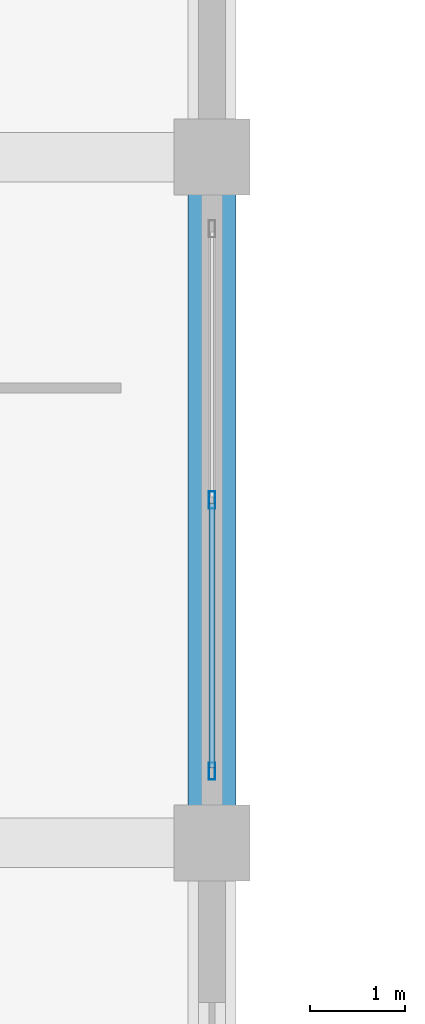
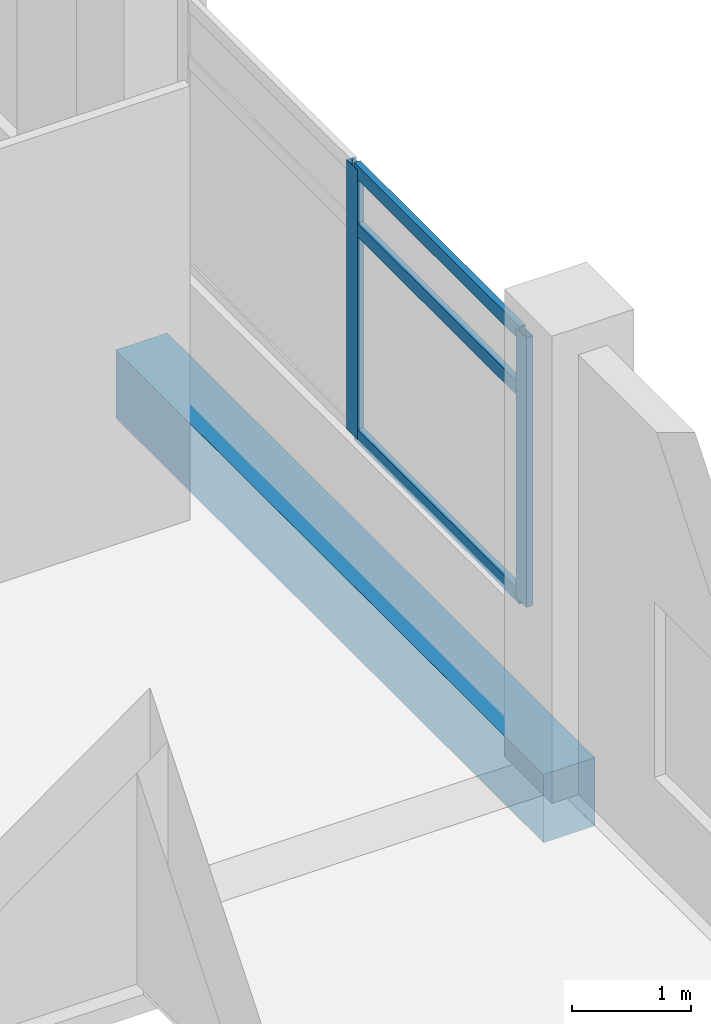
# One storey, part 50 of 140: 5 members, 1 beam, 1 element without a shape of its own.
"""IFC4 building model written with IfcOpenShell, lengths in metres."""

from ifc_helpers import new_model, si_unit, direction, frame, origin, origin_2d, place, context, subcontext, project, spatial, rectangle, hollow_rectangle, extrude, material, layer, layer_set, material_profile, profile_set, type_object, element, aggregate, save


model = new_model("IFC4")

# Units and contexts
model_context = context("Model", 3, precision=1e-05, world=origin(), true_north=direction((0.0, 1.0)))
body_context = subcontext(model_context, "Body", "Model", "MODEL_VIEW")
ifc_project = project(units=[si_unit("LENGTHUNIT", "METRE"), si_unit("AREAUNIT", "SQUARE_METRE"), si_unit("VOLUMEUNIT", "CUBIC_METRE"), si_unit("PLANEANGLEUNIT", "RADIAN"), si_unit("MASSUNIT", "GRAM", prefix="KILO")], contexts=[model_context])

# Site, building, storey
site_placement = place(None, origin())
site = spatial("IfcSite", under=ifc_project, at=site_placement, CompositionType="ELEMENT")
building_placement = place(site_placement, origin())
building = spatial("IfcBuilding", under=site, at=building_placement, Name="Seraya Terrace Polytechnic", CompositionType="ELEMENT")
storey_placement = place(building_placement, frame((0.0, 0.0, 9.60009765625)))
storey = spatial("IfcBuildingStorey", under=building, at=storey_placement, Name="L02", CompositionType="ELEMENT", Elevation=9.60009765625)

# Beam
ifc_material_1 = material(Name="Concrete C40/50", Category="concrete")
ifc_material_profile_1 = material_profile(ifc_material_1, rectangle(XDim=0.5, YDim=0.699951171875, at=origin_2d()), Name="RC 500x700")
ifc_profile_set_1 = profile_set([ifc_material_profile_1], Name="Concrete C40/50")
beam_type = type_object("IfcBeamType", Name="BM-07", PredefinedType="BEAM", material=ifc_profile_set_1)
beam_placement = place(storey_placement, frame((108.0, 43.199951171875, -0.35009765625), z_axis=(0.0, 1.0, 0.0), x_axis=(-1.0, 0.0, 0.0)))
element("IfcBeam", 1, at=beam_placement, inside=storey, type_object=beam_type, Name="Beam BM-07 L02 Y (108.0, 43.2..50.4)", PredefinedType="BEAM", context=body_context, shape_type="SweptSolid", body=[
    extrude(rectangle(XDim=0.5, YDim=0.699951171875, at=origin_2d()), origin(), (0.0, 0.0, 1.0), 7.199951171875),
])

# Curtain wall, members
ifc_material_2 = material(Name="Anodised aluminium EN AW-6063 T6", Category="aluminium")
ifc_layer = layer(ifc_material_2, 0.179931640625, Name="CW-25")
ifc_layer_set = layer_set([ifc_layer], Name="Anodised aluminium EN AW-6063 T6")
curtain_wall_type = type_object("IfcCurtainWallType", Name="CW-25", PredefinedType="NOTDEFINED", material=ifc_layer_set)
curtain_wall_placement = place(storey_placement, origin())
curtain_wall = element("IfcCurtainWall", 2, at=curtain_wall_placement, inside=storey, type_object=curtain_wall_type, Name="Unitised curtain wall CW-25 (CW-L02-061)", PredefinedType="NOTDEFINED")
ifc_material_profile_2 = material_profile(ifc_material_2, hollow_rectangle(XDim=0.06494140625, YDim=0.179931640625, WallThickness=0.00390625, at=origin_2d()), Name="RHS 180x65x4.0")
ifc_profile_set_2 = profile_set([ifc_material_profile_2], Name="Anodised aluminium EN AW-6063 T6")
member_type_1 = type_object("IfcMemberType", Name="CWM-01", PredefinedType="MULLION", material=ifc_profile_set_2)
member_1_placement = place(storey_placement, frame((108.0, 46.800048828125, 1.239990234375), z_axis=(0.0, 0.0, 1.0), x_axis=(1.0, 0.0, 0.0)))
member_1 = element("IfcMember", 3, at=member_1_placement, type_object=member_type_1, Name="CW-25 mullion 2", PredefinedType="MULLION", context=body_context, shape_type="SweptSolid", body=[
    extrude(hollow_rectangle(XDim=0.06494140625, YDim=0.179931640625, WallThickness=0.00390625, at=origin_2d()), origin(), (0.0, 0.0, 1.0), 2.77001953125),
])
member_2_placement = place(storey_placement, frame((108.0, 43.952392578125, 1.239990234375), z_axis=(0.0, 0.0, 1.0), x_axis=(1.0, 0.0, 0.0)))
member_2 = element("IfcMember", 4, at=member_2_placement, type_object=member_type_1, Name="CW-25 mullion 3", PredefinedType="MULLION", context=body_context, shape_type="SweptSolid", body=[
    extrude(hollow_rectangle(XDim=0.06494140625, YDim=0.179931640625, WallThickness=0.00390625, at=origin_2d()), origin(), (0.0, 0.0, 1.0), 2.77001953125),
])
ifc_material_profile_3 = material_profile(ifc_material_2, hollow_rectangle(XDim=0.06005859375, YDim=0.139892578125, WallThickness=0.00341796875, at=origin_2d()), Name="RHS 140x60x3.5")
ifc_profile_set_3 = profile_set([ifc_material_profile_3], Name="Anodised aluminium EN AW-6063 T6")
member_type_2 = type_object("IfcMemberType", Name="CWT-01", PredefinedType="USERDEFINED", material=ifc_profile_set_3)
member_3_placement = place(storey_placement, frame((108.0, 46.767578125, 1.27001953125), z_axis=(0.0, -1.0, 0.0), x_axis=(1.0, 0.0, 0.0)))
member_3 = element("IfcMember", 5, at=member_3_placement, type_object=member_type_2, Name="CW-25 transom 2.1", ObjectType="TRANSOM", PredefinedType="USERDEFINED", context=body_context, shape_type="SweptSolid", body=[
    extrude(hollow_rectangle(XDim=0.06005859375, YDim=0.139892578125, WallThickness=0.00341796875, at=origin_2d()), origin(), (0.0, 0.0, 1.0), 2.782470703125),
])
member_4_placement = place(storey_placement, frame((108.0, 46.767578125, 3.389892578125), z_axis=(0.0, -1.0, 0.0), x_axis=(1.0, 0.0, 0.0)))
member_4 = element("IfcMember", 6, at=member_4_placement, type_object=member_type_2, Name="CW-25 transom 2.2", ObjectType="TRANSOM", PredefinedType="USERDEFINED", context=body_context, shape_type="SweptSolid", body=[
    extrude(hollow_rectangle(XDim=0.06005859375, YDim=0.139892578125, WallThickness=0.00341796875, at=origin_2d()), origin(), (0.0, 0.0, 1.0), 2.782470703125),
])
member_5_placement = place(storey_placement, frame((108.0, 46.767578125, 3.97998046875), z_axis=(0.0, -1.0, 0.0), x_axis=(1.0, 0.0, 0.0)))
member_5 = element("IfcMember", 7, at=member_5_placement, type_object=member_type_2, Name="CW-25 transom 2.3", ObjectType="TRANSOM", PredefinedType="USERDEFINED", context=body_context, shape_type="SweptSolid", body=[
    extrude(hollow_rectangle(XDim=0.06005859375, YDim=0.139892578125, WallThickness=0.00341796875, at=origin_2d()), origin(), (0.0, 0.0, 1.0), 2.782470703125),
])
aggregate(curtain_wall, [member_1, member_2, member_3, member_4, member_5])

save(model, "model.ifc")
